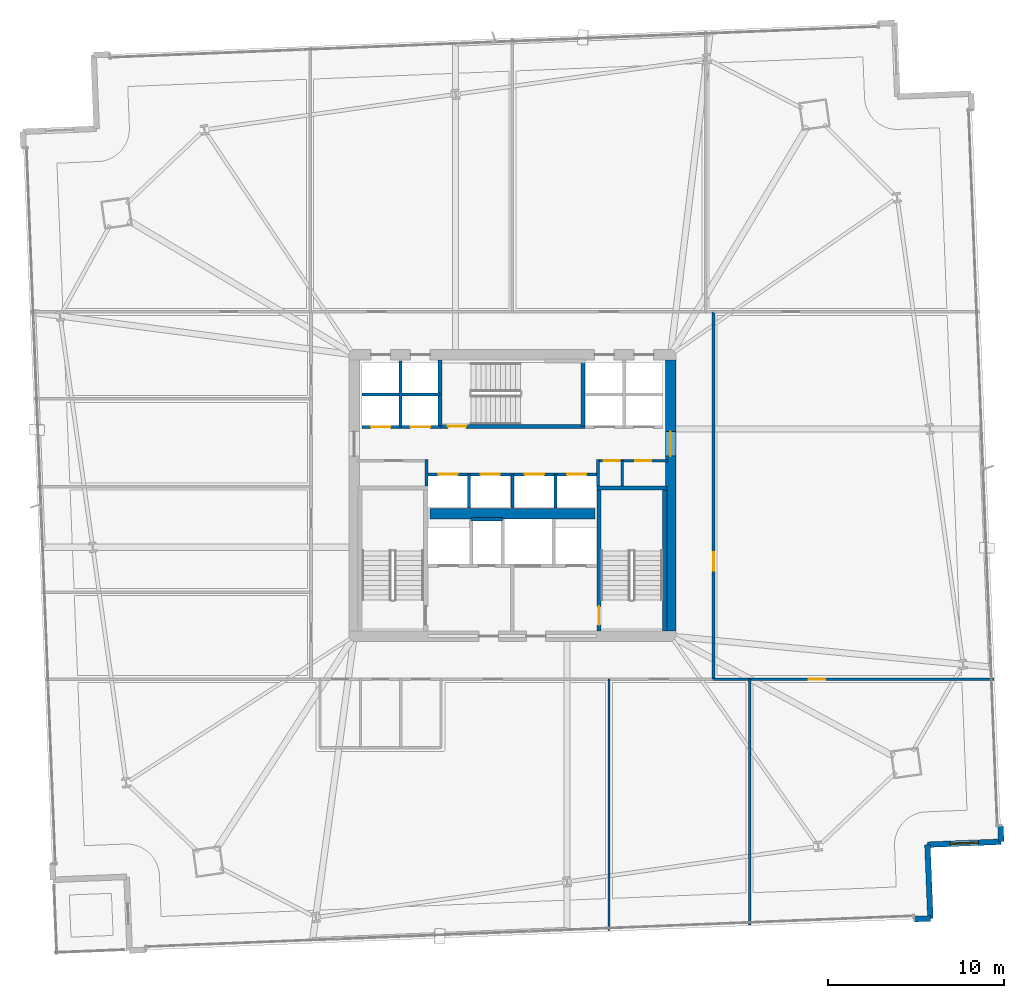
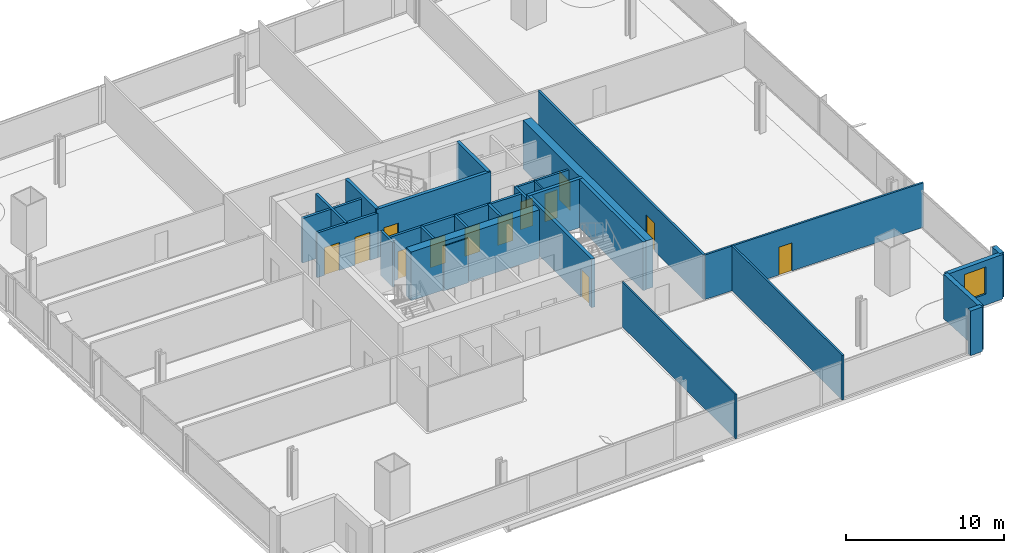
# One storey, part 26 of 32: 28 walls, 13 doors, 1 window, 14 openings.
"""IFC4 building model written with IfcOpenShell, lengths in metres."""

from ifc_helpers import new_model, si_unit, direction, frame, frame_2d, origin, place, context, subcontext, project, spatial, rectangle, extrude, material, layer, layer_set, type_object, element, fill, save


model = new_model("IFC4")

# Units and contexts
model_context = context("Model", 3, precision=1e-05, world=origin(), true_north=direction((0.0, 1.0)))
body_context = subcontext(model_context, "Body", "Model", "MODEL_VIEW")
ifc_project = project(units=[si_unit("LENGTHUNIT", "METRE"), si_unit("AREAUNIT", "SQUARE_METRE"), si_unit("VOLUMEUNIT", "CUBIC_METRE"), si_unit("PLANEANGLEUNIT", "RADIAN"), si_unit("MASSUNIT", "GRAM", prefix="KILO")], contexts=[model_context])

# Site, building, storey
site_placement = place(None, origin())
site = spatial("IfcSite", under=ifc_project, at=site_placement, CompositionType="ELEMENT")
building_placement = place(site_placement, origin())
building = spatial("IfcBuilding", under=site, at=building_placement, Name="Haldenkirk Collegiate Tower", CompositionType="ELEMENT")
storey_placement = place(building_placement, frame((0.0, 0.0, 36.449951171875)))
storey = spatial("IfcBuildingStorey", under=building, at=storey_placement, Name="L07", CompositionType="ELEMENT", Elevation=36.449951171875)

# Wall, opening, door
ifc_material_1 = material(Name="Concrete f'c 70 MPa", Category="concrete")
ifc_layer_1 = layer(ifc_material_1, 0.60009765625)
ifc_layer_set_1 = layer_set([ifc_layer_1], Name="Concrete f'c 70 MPa")
wall_type_1 = type_object("IfcWallType", Name="WL-CORE-600", PredefinedType="SHEAR", material=ifc_layer_set_1)
wall_1_placement = place(storey_placement, frame((45.0, 18.300048828125, 0.0), z_axis=(0.0, 0.0, 1.0), x_axis=(0.0, 1.0, 0.0)))
wall_1 = element("IfcWall", 1, at=wall_1_placement, inside=storey, type_object=wall_type_1, Name="L07 central core shear wall E", PredefinedType="SHEAR", context=body_context, shape_type="SweptSolid", body=[
    extrude(rectangle(XDim=15.39990234375, YDim=0.60009765625, at=frame_2d((7.699951171875, 0.0))), origin(), (0.0, 0.0, 1.0), 3.75),
])
opening_1_placement = place(wall_1_placement, frame((9.93994140625, 0.0, 0.0)))
opening_1 = element("IfcOpeningElement", 2, at=opening_1_placement, cuts=wall_1, Name="Opening D-03", PredefinedType="OPENING", context=body_context, shape_type="SweptSolid", body=[
    extrude(rectangle(XDim=1.39990234375, YDim=2.199951171875, at=frame_2d((0.699951171875, 1.10009765625))), frame((0.0, 0.31005859375, 0.0), z_axis=(0.0, -1.0, 0.0), x_axis=(1.0, 0.0, 0.0)), (0.0, 0.0, 1.0), 0.6201171875),
])
ifc_material_2 = material(Name="Galvanized fire-rated hollow steel door", Category="steel")
ifc_layer_2 = layer(ifc_material_2, 0.06005859375)
ifc_layer_set_2 = layer_set([ifc_layer_2], Name="Galvanized fire-rated hollow steel door")
door_type_1 = type_object("IfcDoorType", Name="DR-LOBBY-FD90-1400", OperationType="NOTDEFINED", PredefinedType="DOOR", material=ifc_layer_set_2)
door_1_placement = place(opening_1_placement, origin())
door_1 = element("IfcDoor", 3, at=door_1_placement, inside=storey, type_object=door_type_1, Name="L07 east lift lobby portal", OperationType="DOUBLE_DOOR_SINGLE_SWING", OverallHeight=2.199951171875, OverallWidth=1.39990234375, PredefinedType="DOOR", context=body_context, shape_type="SweptSolid", body=[
    extrude(rectangle(XDim=1.39990234375, YDim=2.199951171875, at=frame_2d((0.699951171875, 1.10009765625))), frame((0.0, 0.02490234375, 0.0), z_axis=(0.0, -1.0, 0.0), x_axis=(1.0, 0.0, 0.0)), (0.0, 0.0, 1.0), 0.050048828125),
])
fill(opening_1, door_1)

# Walls
wall_2_placement = place(storey_placement, frame((31.31005859375, 24.949951171875, 0.0), z_axis=(0.0, 0.0, 1.0), x_axis=(1.0, 0.0, 0.0)))
element("IfcWall", 4, at=wall_2_placement, inside=storey, type_object=wall_type_1, Name="L07 central core spine shear wall", PredefinedType="SHEAR", context=body_context, shape_type="SweptSolid", body=[
    extrude(rectangle(XDim=9.3798828125, YDim=0.60009765625, at=frame_2d((4.68994140625, 0.0))), origin(), (0.0, 0.0, 1.0), 3.75),
])
ifc_material_3 = material(Name="Precast concrete f'c 40 MPa", Category="concrete")
ifc_layer_3 = layer(ifc_material_3, 0.320068359375)
ifc_layer_set_3 = layer_set([ifc_layer_3], Name="Precast concrete f'c 40 MPa")
wall_type_2 = type_object("IfcWallType", Name="WL-EXT-TWR-320", PredefinedType="STANDARD", material=ifc_layer_set_3)
wall_3_placement = place(storey_placement, frame((59.784912109375, 1.93505859375, 0.0), z_axis=(0.0, 0.0, 1.0), x_axis=(-0.999194011416, -0.04014134465, 0.0)))
element("IfcWall", 5, at=wall_3_placement, inside=storey, type_object=wall_type_2, Name="L07 precast corner pier SL", PredefinedType="STANDARD", context=body_context, shape_type="SweptSolid", body=[
    extrude(rectangle(XDim=0.900146484375, YDim=0.320068359375, at=frame_2d((0.4501953125, 0.0))), origin(), (0.0, 0.0, 1.0), 3.43994140625),
])
wall_4_placement = place(storey_placement, frame((59.616455078125, 6.1318359375, 0.0), z_axis=(0.0, 0.0, 1.0), x_axis=(0.040107318829, -0.99919537778, 0.0)))
element("IfcWall", 6, at=wall_4_placement, inside=storey, type_object=wall_type_2, Name="L07 bronze precast notch wall 02", PredefinedType="STANDARD", context=body_context, shape_type="SweptSolid", body=[
    extrude(rectangle(XDim=4.2001953125, YDim=0.320068359375, at=frame_2d((2.10009765625, 0.0))), origin(), (0.0, 0.0, 1.0), 3.43994140625),
])

# Wall, opening, window
wall_5_placement = place(storey_placement, frame((63.81298828125, 6.30029296875, 0.0), z_axis=(0.0, 0.0, 1.0), x_axis=(-0.999195284269, -0.040109648388, 0.0)))
wall_5 = element("IfcWall", 7, at=wall_5_placement, inside=storey, type_object=wall_type_2, Name="L07 bronze precast notch wall 03", PredefinedType="STANDARD", context=body_context, shape_type="SweptSolid", body=[
    extrude(rectangle(XDim=4.199951171875, YDim=0.320068359375, at=frame_2d((2.10009765625, 0.0))), origin(), (0.0, 0.0, 1.0), 3.43994140625),
])
opening_2_placement = place(wall_5_placement, frame((1.300048828125, 0.0, 0.85009765625)))
opening_2 = element("IfcOpeningElement", 8, at=opening_2_placement, cuts=wall_5, Name="Opening W-03", PredefinedType="OPENING", context=body_context, shape_type="SweptSolid", body=[
    extrude(rectangle(XDim=1.60009765625, YDim=2.10009765625, at=frame_2d((0.800048828125, 1.050048828125))), frame((0.0, 0.169921875, 0.0), z_axis=(0.0, -1.0, 0.0), x_axis=(1.0, 0.0, 0.0)), (0.0, 0.0, 1.0), 0.340087890625),
])
ifc_material_4 = material(Name="Low-E argon triple insulating glass", Category="glass")
ifc_layer_4 = layer(ifc_material_4, 0.090087890625)
ifc_layer_set_4 = layer_set([ifc_layer_4], Name="Low-E argon triple insulating glass")
window_type = type_object("IfcWindowType", Name="WN-Z1-1600X2100", PartitioningType="SINGLE_PANEL", PredefinedType="WINDOW", material=ifc_layer_set_4)
window_placement = place(opening_2_placement, origin())
window = element("IfcWindow", 9, at=window_placement, inside=storey, type_object=window_type, Name="L07 precast-frame academic window 2", OverallHeight=2.10009765625, OverallWidth=1.60009765625, PartitioningType="SINGLE_PANEL", PredefinedType="WINDOW", context=body_context, shape_type="SweptSolid", body=[
    extrude(rectangle(XDim=1.60009765625, YDim=2.10009765625, at=frame_2d((0.800048828125, 1.050048828125))), frame((0.0, 0.030029296875, 0.0), z_axis=(0.0, -1.0, 0.0), x_axis=(1.0, 0.0, 0.0)), (0.0, 0.0, 1.0), 0.06005859375),
])
fill(opening_2, window)

# Walls
wall_6_placement = place(storey_placement, frame((63.77685546875, 7.19970703125, 0.0), z_axis=(0.0, 0.0, 1.0), x_axis=(0.04014134465, -0.999194011416, 0.0)))
element("IfcWall", 10, at=wall_6_placement, inside=storey, type_object=wall_type_2, Name="L07 precast corner pier ER", PredefinedType="STANDARD", context=body_context, shape_type="SweptSolid", body=[
    extrude(rectangle(XDim=0.900146484375, YDim=0.320068359375, at=frame_2d((0.4501953125, 0.0))), origin(), (0.0, 0.0, 1.0), 3.43994140625),
])
ifc_material_5 = material(Name="Acoustic fire-rated gypsum partition", Category="concrete")
ifc_layer_5 = layer(ifc_material_5, 0.159912109375)
ifc_layer_set_5 = layer_set([ifc_layer_5], Name="Acoustic fire-rated gypsum partition")
wall_type_3 = type_object("IfcWallType", Name="WL-INT-CORR-160", PredefinedType="PARTITIONING", material=ifc_layer_set_5)
wall_7_placement = place(storey_placement, frame((31.1201171875, 26.5400390625, 0.0), z_axis=(0.0, 0.0, 1.0), x_axis=(0.0, 1.0, 0.0)))
element("IfcWall", 11, at=wall_7_placement, inside=storey, type_object=wall_type_3, Name="L07 interior partition IW-L07-VCSW-E", PredefinedType="PARTITIONING", context=body_context, shape_type="SweptSolid", body=[
    extrude(rectangle(XDim=1.510009765625, YDim=0.159912109375, at=frame_2d((0.7548828125, 0.0))), origin(), (0.0, 0.0, 1.0), 3.43994140625),
])

# Wall, openings, doors
wall_8_placement = place(storey_placement, frame((40.800048828125, 27.97998046875, 0.0), z_axis=(0.0, 0.0, 1.0), x_axis=(1.0, 0.0, 0.0)))
wall_8 = element("IfcWall", 12, at=wall_8_placement, inside=storey, type_object=wall_type_3, Name="L07 interior partition IW-L07-VCSE-N", PredefinedType="PARTITIONING", context=body_context, shape_type="SweptSolid", body=[
    extrude(rectangle(XDim=4.050048828125, YDim=0.159912109375, at=frame_2d((2.02490234375, 0.0))), origin(), (0.0, 0.0, 1.0), 3.43994140625),
])
opening_3_placement = place(wall_8_placement, frame((0.407470703125, 0.0, 0.0)))
opening_3 = element("IfcOpeningElement", 13, at=opening_3_placement, cuts=wall_8, Name="Opening D-11", PredefinedType="OPENING", context=body_context, shape_type="SweptSolid", body=[
    extrude(rectangle(XDim=0.89990234375, YDim=2.14990234375, at=frame_2d((0.449951171875, 1.074951171875))), frame((0.0, 0.08984375, 0.0), z_axis=(0.0, -1.0, 0.0), x_axis=(1.0, 0.0, 0.0)), (0.0, 0.0, 1.0), 0.179931640625),
])
opening_4_placement = place(wall_8_placement, frame((2.199951171875, 0.0, 0.0)))
opening_4 = element("IfcOpeningElement", 14, at=opening_4_placement, cuts=wall_8, Name="Opening D-11", PredefinedType="OPENING", context=body_context, shape_type="SweptSolid", body=[
    extrude(rectangle(XDim=0.89990234375, YDim=2.14990234375, at=frame_2d((0.449951171875, 1.074951171875))), frame((0.0, 0.08984375, 0.0), z_axis=(0.0, -1.0, 0.0), x_axis=(1.0, 0.0, 0.0)), (0.0, 0.0, 1.0), 0.179931640625),
])
ifc_material_6 = material(Name="Solid-core architectural oak fire door", Category="wood")
ifc_layer_6 = layer(ifc_material_6, 0.06005859375)
ifc_layer_set_6 = layer_set([ifc_layer_6], Name="Solid-core architectural oak fire door")
door_type_2 = type_object("IfcDoorType", Name="DR-INT-FD60-900", OperationType="NOTDEFINED", PredefinedType="DOOR", material=ifc_layer_set_6)
door_2_placement = place(opening_3_placement, origin())
door_2 = element("IfcDoor", 15, at=door_2_placement, inside=storey, type_object=door_type_2, Name="L07 core copy room door", OperationType="SINGLE_SWING_RIGHT", OverallHeight=2.14990234375, OverallWidth=0.89990234375, PredefinedType="DOOR", context=body_context, shape_type="SweptSolid", body=[
    extrude(rectangle(XDim=0.89990234375, YDim=2.14990234375, at=frame_2d((0.449951171875, 1.074951171875))), frame((0.0, 0.02490234375, 0.0), z_axis=(0.0, -1.0, 0.0), x_axis=(1.0, 0.0, 0.0)), (0.0, 0.0, 1.0), 0.050048828125),
])
fill(opening_3, door_2)
door_3_placement = place(opening_4_placement, origin())
door_3 = element("IfcDoor", 16, at=door_3_placement, inside=storey, type_object=door_type_2, Name="L07 core records store door", OperationType="SINGLE_SWING_LEFT", OverallHeight=2.14990234375, OverallWidth=0.89990234375, PredefinedType="DOOR", context=body_context, shape_type="SweptSolid", body=[
    extrude(rectangle(XDim=0.89990234375, YDim=2.14990234375, at=frame_2d((0.449951171875, 1.074951171875))), frame((0.0, 0.02490234375, 0.0), z_axis=(0.0, -1.0, 0.0), x_axis=(1.0, 0.0, 0.0)), (0.0, 0.0, 1.0), 0.050048828125),
])
fill(opening_4, door_3)

# Wall
wall_9_placement = place(storey_placement, frame((40.8798828125, 26.5400390625, 0.0), z_axis=(0.0, 0.0, 1.0), x_axis=(0.0, 1.0, 0.0)))
element("IfcWall", 17, at=wall_9_placement, inside=storey, type_object=wall_type_3, Name="L07 interior partition IW-L07-VCSE-W", PredefinedType="PARTITIONING", context=body_context, shape_type="SweptSolid", body=[
    extrude(rectangle(XDim=1.510009765625, YDim=0.159912109375, at=frame_2d((0.7548828125, 0.0))), origin(), (0.0, 0.0, 1.0), 3.43994140625),
])

# Wall, opening, door
wall_10_placement = place(storey_placement, frame((47.449951171875, 15.550048828125, 0.0), z_axis=(0.0, 0.0, 1.0), x_axis=(0.0, 1.0, 0.0)))
wall_10 = element("IfcWall", 18, at=wall_10_placement, inside=storey, type_object=wall_type_3, Name="L07 interior partition IW-L07-CE", PredefinedType="PARTITIONING", context=body_context, shape_type="SweptSolid", body=[
    extrude(rectangle(XDim=20.89990234375, YDim=0.159912109375, at=frame_2d((10.449951171875, 0.0))), origin(), (0.0, 0.0, 1.0), 3.43994140625),
])
opening_5_placement = place(wall_10_placement, frame((6.1630859375, 0.0, 0.0)))
opening_5 = element("IfcOpeningElement", 19, at=opening_5_placement, cuts=wall_10, Name="Opening D-09", PredefinedType="OPENING", context=body_context, shape_type="SweptSolid", body=[
    extrude(rectangle(XDim=1.050048828125, YDim=2.14990234375, at=frame_2d((0.52490234375, 1.074951171875))), frame((0.0, 0.08984375, 0.0), z_axis=(0.0, -1.0, 0.0), x_axis=(1.0, 0.0, 0.0)), (0.0, 0.0, 1.0), 0.179931640625),
])
ifc_layer_7 = layer(ifc_material_6, 0.06005859375)
ifc_layer_set_7 = layer_set([ifc_layer_7], Name="Solid-core architectural oak fire door")
door_type_3 = type_object("IfcDoorType", Name="DR-INT-FD60-1050", OperationType="NOTDEFINED", PredefinedType="DOOR", material=ifc_layer_set_7)
door_4_placement = place(opening_5_placement, origin())
door_4 = element("IfcDoor", 20, at=door_4_placement, inside=storey, type_object=door_type_3, Name="L07 Critique Seminar Room 12 door", OperationType="SINGLE_SWING_RIGHT", OverallHeight=2.14990234375, OverallWidth=1.050048828125, PredefinedType="DOOR", context=body_context, shape_type="SweptSolid", body=[
    extrude(rectangle(XDim=1.050048828125, YDim=2.14990234375, at=frame_2d((0.52490234375, 1.074951171875))), frame((0.0, 0.02490234375, 0.0), z_axis=(0.0, -1.0, 0.0), x_axis=(1.0, 0.0, 0.0)), (0.0, 0.0, 1.0), 0.050048828125),
])
fill(opening_5, door_4)

ifc_layer_8 = layer(ifc_material_5, 0.139892578125)
ifc_layer_set_8 = layer_set([ifc_layer_8], Name="Acoustic fire-rated gypsum partition")
wall_type_4 = type_object("IfcWallType", Name="WL-INT-DIV-140", PredefinedType="PARTITIONING", material=ifc_layer_set_8)
wall_11_placement = place(storey_placement, frame((47.449951171875, 15.550048828125, 0.0), z_axis=(0.0, 0.0, 1.0), x_axis=(1.0, 0.0, 0.0)))
wall_11 = element("IfcWall", 21, at=wall_11_placement, inside=storey, type_object=wall_type_4, Name="L07 interior partition IW-L07-BES", PredefinedType="PARTITIONING", context=body_context, shape_type="SweptSolid", body=[
    extrude(rectangle(XDim=15.95166015625, YDim=0.139892578125, at=frame_2d((7.975830078125, 0.0))), origin(), (0.0, 0.0, 1.0), 3.43994140625),
])
opening_6_placement = place(wall_11_placement, frame((5.408935546875, 0.0, 0.0)))
opening_6 = element("IfcOpeningElement", 22, at=opening_6_placement, cuts=wall_11, Name="Opening D-12", PredefinedType="OPENING", context=body_context, shape_type="SweptSolid", body=[
    extrude(rectangle(XDim=0.949951171875, YDim=2.14990234375, at=frame_2d((0.47509765625, 1.074951171875))), frame((0.0, 0.079833984375, 0.0), z_axis=(0.0, -1.0, 0.0), x_axis=(1.0, 0.0, 0.0)), (0.0, 0.0, 1.0), 0.159912109375),
])
ifc_layer_9 = layer(ifc_material_6, 0.06005859375)
ifc_layer_set_9 = layer_set([ifc_layer_9], Name="Solid-core architectural oak fire door")
door_type_4 = type_object("IfcDoorType", Name="DR-INT-STD-950", OperationType="NOTDEFINED", PredefinedType="DOOR", material=ifc_layer_set_9)
door_5_placement = place(opening_6_placement, origin())
door_5 = element("IfcDoor", 23, at=door_5_placement, inside=storey, type_object=door_type_4, Name="L07 Tutorial Seminar Room 3 door", OperationType="SINGLE_SWING_LEFT", OverallHeight=2.14990234375, OverallWidth=0.949951171875, PredefinedType="DOOR", context=body_context, shape_type="SweptSolid", body=[
    extrude(rectangle(XDim=0.949951171875, YDim=2.14990234375, at=frame_2d((0.47509765625, 1.074951171875))), frame((0.0, 0.02490234375, 0.0), z_axis=(0.0, -1.0, 0.0), x_axis=(1.0, 0.0, 0.0)), (0.0, 0.0, 1.0), 0.050048828125),
])
fill(opening_6, door_5)

# Walls
wall_12_placement = place(storey_placement, frame((49.5, 1.56201171875, 0.0), z_axis=(0.0, 0.0, 1.0), x_axis=(0.0, 1.0, 0.0)))
element("IfcWall", 24, at=wall_12_placement, inside=storey, type_object=wall_type_4, Name="L07 interior partition IW-L07-RS2", PredefinedType="PARTITIONING", context=body_context, shape_type="SweptSolid", body=[
    extrude(rectangle(XDim=13.988037109375, YDim=0.139892578125, at=frame_2d((6.994140625, 0.0))), origin(), (0.0, 0.0, 1.0), 3.43994140625),
])
ifc_material_7 = material(Name="Fire-rated gypsum shaftboard assembly", Category="concrete")
ifc_layer_10 = layer(ifc_material_7, 0.179931640625)
ifc_layer_set_10 = layer_set([ifc_layer_10], Name="Fire-rated gypsum shaftboard assembly")
wall_type_5 = type_object("IfcWallType", Name="WL-INT-SHAFT-180", PredefinedType="PARTITIONING", material=ifc_layer_set_10)
wall_13_placement = place(storey_placement, frame((33.64990234375, 24.64990234375, 0.0), z_axis=(0.0, 0.0, 1.0), x_axis=(1.0, 0.0, 0.0)))
element("IfcWall", 25, at=wall_13_placement, inside=storey, type_object=wall_type_5, Name="L07 interior partition IW-L07-RSRN", PredefinedType="PARTITIONING", context=body_context, shape_type="SweptSolid", body=[
    extrude(rectangle(XDim=1.800048828125, YDim=0.179931640625, at=frame_2d((0.89990234375, 0.0))), origin(), (0.0, 0.0, 1.0), 3.43994140625),
])

# Wall, openings, doors
wall_14_placement = place(storey_placement, frame((27.449951171875, 29.89990234375, 0.0), z_axis=(0.0, 0.0, 1.0), x_axis=(1.0, 0.0, 0.0)))
wall_14 = element("IfcWall", 26, at=wall_14_placement, inside=storey, type_object=wall_type_5, Name="L07 interior partition IW-L07-PLS", PredefinedType="PARTITIONING", context=body_context, shape_type="SweptSolid", body=[
    extrude(rectangle(XDim=4.429931640625, YDim=0.179931640625, at=frame_2d((2.21484375, 0.0))), origin(), (0.0, 0.0, 1.0), 3.43994140625),
])
opening_7_placement = place(wall_14_placement, frame((0.514892578125, 0.0, 0.0)))
opening_7 = element("IfcOpeningElement", 27, at=opening_7_placement, cuts=wall_14, Name="Opening LD-11", PredefinedType="OPENING", context=body_context, shape_type="SweptSolid", body=[
    extrude(rectangle(XDim=1.10009765625, YDim=2.14990234375, at=frame_2d((0.550048828125, 1.074951171875))), frame((0.0, 0.099853515625, 0.0), z_axis=(0.0, -1.0, 0.0), x_axis=(1.0, 0.0, 0.0)), (0.0, 0.0, 1.0), 0.199951171875),
])
opening_8_placement = place(wall_14_placement, frame((2.764892578125, 0.0, 0.0)))
opening_8 = element("IfcOpeningElement", 28, at=opening_8_placement, cuts=wall_14, Name="Opening LD-11", PredefinedType="OPENING", context=body_context, shape_type="SweptSolid", body=[
    extrude(rectangle(XDim=1.10009765625, YDim=2.14990234375, at=frame_2d((0.550048828125, 1.074951171875))), frame((0.0, 0.099853515625, 0.0), z_axis=(0.0, -1.0, 0.0), x_axis=(1.0, 0.0, 0.0)), (0.0, 0.0, 1.0), 0.199951171875),
])
ifc_material_8 = material(Name="Brushed architectural stainless steel", Category="steel")
ifc_layer_11 = layer(ifc_material_8, 0.06005859375)
ifc_layer_set_11 = layer_set([ifc_layer_11], Name="Brushed architectural stainless steel")
door_type_5 = type_object("IfcDoorType", Name="LD-PASS-1100", OperationType="NOTDEFINED", PredefinedType="DOOR", material=ifc_layer_set_11)
door_6_placement = place(opening_7_placement, origin())
door_6 = element("IfcDoor", 29, at=door_6_placement, inside=storey, type_object=door_type_5, Name="L07 Elevator PL1 sliding landing door", OperationType="SLIDING_TO_LEFT", OverallHeight=2.14990234375, OverallWidth=1.10009765625, PredefinedType="DOOR", context=body_context, shape_type="SweptSolid", body=[
    extrude(rectangle(XDim=1.10009765625, YDim=2.14990234375, at=frame_2d((0.550048828125, 1.074951171875))), frame((0.0, 0.02490234375, 0.0), z_axis=(0.0, -1.0, 0.0), x_axis=(1.0, 0.0, 0.0)), (0.0, 0.0, 1.0), 0.050048828125),
])
fill(opening_7, door_6)
door_7_placement = place(opening_8_placement, origin())
door_7 = element("IfcDoor", 30, at=door_7_placement, inside=storey, type_object=door_type_5, Name="L07 Elevator PL2 sliding landing door", OperationType="SLIDING_TO_LEFT", OverallHeight=2.14990234375, OverallWidth=1.10009765625, PredefinedType="DOOR", context=body_context, shape_type="SweptSolid", body=[
    extrude(rectangle(XDim=1.10009765625, YDim=2.14990234375, at=frame_2d((0.550048828125, 1.074951171875))), frame((0.0, 0.02490234375, 0.0), z_axis=(0.0, -1.0, 0.0), x_axis=(1.0, 0.0, 0.0)), (0.0, 0.0, 1.0), 0.050048828125),
])
fill(opening_8, door_7)

# Walls
wall_15_placement = place(storey_placement, frame((27.449951171875, 31.75, 0.0), z_axis=(0.0, 0.0, 1.0), x_axis=(1.0, 0.0, 0.0)))
element("IfcWall", 31, at=wall_15_placement, inside=storey, type_object=wall_type_5, Name="L07 interior partition IW-L07-PLM", PredefinedType="PARTITIONING", context=body_context, shape_type="SweptSolid", body=[
    extrude(rectangle(XDim=4.429931640625, YDim=0.179931640625, at=frame_2d((2.21484375, 0.0))), origin(), (0.0, 0.0, 1.0), 3.43994140625),
])
wall_16_placement = place(storey_placement, frame((29.6298828125, 29.89990234375, 0.0), z_axis=(0.0, 0.0, 1.0), x_axis=(0.0, 1.0, 0.0)))
element("IfcWall", 32, at=wall_16_placement, inside=storey, type_object=wall_type_5, Name="L07 interior partition IW-L07-PLV", PredefinedType="PARTITIONING", context=body_context, shape_type="SweptSolid", body=[
    extrude(rectangle(XDim=3.75, YDim=0.179931640625, at=frame_2d((1.875, 0.0))), origin(), (0.0, 0.0, 1.0), 3.43994140625),
])

# Wall, openings, doors
wall_17_placement = place(storey_placement, frame((31.199951171875, 27.199951171875, 0.0), z_axis=(0.0, 0.0, 1.0), x_axis=(1.0, 0.0, 0.0)))
wall_17 = element("IfcWall", 33, at=wall_17_placement, inside=storey, type_object=wall_type_5, Name="L07 interior partition IW-L07-PHN", PredefinedType="PARTITIONING", context=body_context, shape_type="SweptSolid", body=[
    extrude(rectangle(XDim=9.60009765625, YDim=0.179931640625, at=frame_2d((4.800048828125, 0.0))), origin(), (0.0, 0.0, 1.0), 3.43994140625),
])
opening_9_placement = place(wall_17_placement, frame((0.590087890625, 0.0, 0.0)))
opening_9 = element("IfcOpeningElement", 34, at=opening_9_placement, cuts=wall_17, Name="Opening LD-11", PredefinedType="OPENING", context=body_context, shape_type="SweptSolid", body=[
    extrude(rectangle(XDim=1.10009765625, YDim=2.14990234375, at=frame_2d((0.550048828125, 1.074951171875))), frame((0.0, 0.099853515625, 0.0), z_axis=(0.0, -1.0, 0.0), x_axis=(1.0, 0.0, 0.0)), (0.0, 0.0, 1.0), 0.199951171875),
])
opening_10_placement = place(wall_17_placement, frame((2.989990234375, 0.0, 0.0)))
opening_10 = element("IfcOpeningElement", 35, at=opening_10_placement, cuts=wall_17, Name="Opening LD-11", PredefinedType="OPENING", context=body_context, shape_type="SweptSolid", body=[
    extrude(rectangle(XDim=1.10009765625, YDim=2.14990234375, at=frame_2d((0.550048828125, 1.074951171875))), frame((0.0, 0.099853515625, 0.0), z_axis=(0.0, -1.0, 0.0), x_axis=(1.0, 0.0, 0.0)), (0.0, 0.0, 1.0), 0.199951171875),
])
opening_11_placement = place(wall_17_placement, frame((5.510009765625, 0.0, 0.0)))
opening_11 = element("IfcOpeningElement", 36, at=opening_11_placement, cuts=wall_17, Name="Opening LD-11", PredefinedType="OPENING", context=body_context, shape_type="SweptSolid", body=[
    extrude(rectangle(XDim=1.10009765625, YDim=2.14990234375, at=frame_2d((0.550048828125, 1.074951171875))), frame((0.0, 0.099853515625, 0.0), z_axis=(0.0, -1.0, 0.0), x_axis=(1.0, 0.0, 0.0)), (0.0, 0.0, 1.0), 0.199951171875),
])
opening_12_placement = place(wall_17_placement, frame((7.909912109375, 0.0, 0.0)))
opening_12 = element("IfcOpeningElement", 37, at=opening_12_placement, cuts=wall_17, Name="Opening LD-11", PredefinedType="OPENING", context=body_context, shape_type="SweptSolid", body=[
    extrude(rectangle(XDim=1.10009765625, YDim=2.14990234375, at=frame_2d((0.550048828125, 1.074951171875))), frame((0.0, 0.099853515625, 0.0), z_axis=(0.0, -1.0, 0.0), x_axis=(1.0, 0.0, 0.0)), (0.0, 0.0, 1.0), 0.199951171875),
])
door_8_placement = place(opening_9_placement, origin())
door_8 = element("IfcDoor", 38, at=door_8_placement, inside=storey, type_object=door_type_5, Name="L07 Elevator PH1 sliding landing door", OperationType="SLIDING_TO_LEFT", OverallHeight=2.14990234375, OverallWidth=1.10009765625, PredefinedType="DOOR", context=body_context, shape_type="SweptSolid", body=[
    extrude(rectangle(XDim=1.10009765625, YDim=2.14990234375, at=frame_2d((0.550048828125, 1.074951171875))), frame((0.0, 0.02490234375, 0.0), z_axis=(0.0, -1.0, 0.0), x_axis=(1.0, 0.0, 0.0)), (0.0, 0.0, 1.0), 0.050048828125),
])
fill(opening_9, door_8)
door_9_placement = place(opening_10_placement, origin())
door_9 = element("IfcDoor", 39, at=door_9_placement, inside=storey, type_object=door_type_5, Name="L07 Elevator PH2 sliding landing door", OperationType="SLIDING_TO_LEFT", OverallHeight=2.14990234375, OverallWidth=1.10009765625, PredefinedType="DOOR", context=body_context, shape_type="SweptSolid", body=[
    extrude(rectangle(XDim=1.10009765625, YDim=2.14990234375, at=frame_2d((0.550048828125, 1.074951171875))), frame((0.0, 0.02490234375, 0.0), z_axis=(0.0, -1.0, 0.0), x_axis=(1.0, 0.0, 0.0)), (0.0, 0.0, 1.0), 0.050048828125),
])
fill(opening_10, door_9)
door_10_placement = place(opening_11_placement, origin())
door_10 = element("IfcDoor", 40, at=door_10_placement, inside=storey, type_object=door_type_5, Name="L07 Elevator PH3 sliding landing door", OperationType="SLIDING_TO_LEFT", OverallHeight=2.14990234375, OverallWidth=1.10009765625, PredefinedType="DOOR", context=body_context, shape_type="SweptSolid", body=[
    extrude(rectangle(XDim=1.10009765625, YDim=2.14990234375, at=frame_2d((0.550048828125, 1.074951171875))), frame((0.0, 0.02490234375, 0.0), z_axis=(0.0, -1.0, 0.0), x_axis=(1.0, 0.0, 0.0)), (0.0, 0.0, 1.0), 0.050048828125),
])
fill(opening_11, door_10)
door_11_placement = place(opening_12_placement, origin())
door_11 = element("IfcDoor", 41, at=door_11_placement, inside=storey, type_object=door_type_5, Name="L07 Elevator PH4 sliding landing door", OperationType="SLIDING_TO_LEFT", OverallHeight=2.14990234375, OverallWidth=1.10009765625, PredefinedType="DOOR", context=body_context, shape_type="SweptSolid", body=[
    extrude(rectangle(XDim=1.10009765625, YDim=2.14990234375, at=frame_2d((0.550048828125, 1.074951171875))), frame((0.0, 0.02490234375, 0.0), z_axis=(0.0, -1.0, 0.0), x_axis=(1.0, 0.0, 0.0)), (0.0, 0.0, 1.0), 0.050048828125),
])
fill(opening_12, door_11)

# Walls
for number, where, z_axis, x_axis, name in (
    (42, (33.5400390625, 25.300048828125, 0.0), (0.0, 0.0, 1.0), (0.0, 1.0, 0.0), "L07 interior partition IW-L07-PHV1"),
    (43, (36.0, 25.300048828125, 0.0), (0.0, 0.0, 1.0), (0.0, 1.0, 0.0), "L07 interior partition IW-L07-PHV2"),
    (44, (38.4599609375, 25.300048828125, 0.0), (0.0, 0.0, 1.0), (0.0, 1.0, 0.0), "L07 interior partition IW-L07-PHV3"),
):
    element("IfcWall", number, at=place(storey_placement, frame(where, z_axis=z_axis, x_axis=x_axis)), inside=storey, type_object=wall_type_5, Name=name, PredefinedType="PARTITIONING", context=body_context, shape_type="SweptSolid", body=[
        extrude(rectangle(XDim=1.89990234375, YDim=0.179931640625, at=frame_2d((0.949951171875, 0.0))), origin(), (0.0, 0.0, 1.0), 3.43994140625),
    ])
ifc_layer_12 = layer(ifc_material_5, 0.1201171875)
ifc_layer_set_12 = layer_set([ifc_layer_12], Name="Acoustic fire-rated gypsum partition")
wall_type_6 = type_object("IfcWallType", Name="WL-INT-WET-120", PredefinedType="PARTITIONING", material=ifc_layer_set_12)
wall_18_placement = place(storey_placement, frame((42.25, 26.5400390625, 0.0), z_axis=(0.0, 0.0, 1.0), x_axis=(0.0, 1.0, 0.0)))
element("IfcWall", 45, at=wall_18_placement, inside=storey, type_object=wall_type_6, Name="L07 interior partition IW-L07-VCSE-M", PredefinedType="PARTITIONING", context=body_context, shape_type="SweptSolid", body=[
    extrude(rectangle(XDim=1.43994140625, YDim=0.1201171875, at=frame_2d((0.719970703125, 0.0))), origin(), (0.0, 0.0, 1.0), 3.43994140625),
])
wall_19_placement = place(storey_placement, frame((41.5, 1.24072265625, 0.0), z_axis=(0.0, 0.0, 1.0), x_axis=(0.0, 1.0, 0.0)))
element("IfcWall", 46, at=wall_19_placement, inside=storey, type_object=wall_type_6, Name="L07 interior partition IW-L07-RS1", PredefinedType="PARTITIONING", context=body_context, shape_type="SweptSolid", body=[
    extrude(rectangle(XDim=14.309326171875, YDim=0.1201171875, at=frame_2d((7.15478515625, 0.0))), origin(), (0.0, 0.0, 1.0), 3.43994140625),
])

# Wall, opening, door
ifc_material_9 = material(Name="Concrete f'c 55 MPa", Category="concrete")
ifc_layer_13 = layer(ifc_material_9, 0.239990234375)
ifc_layer_set_13 = layer_set([ifc_layer_13], Name="Concrete f'c 55 MPa")
wall_type_7 = type_object("IfcWallType", Name="WL-SHAFT-240", PredefinedType="SHEAR", material=ifc_layer_set_13)
wall_20_placement = place(storey_placement, frame((40.929931640625, 18.280029296875, 0.0), z_axis=(0.0, 0.0, 1.0), x_axis=(0.0, 1.0, 0.0)))
wall_20 = element("IfcWall", 47, at=wall_20_placement, inside=storey, type_object=wall_type_7, Name="L07 stair shaft shear wall SW-L07-ST2W", PredefinedType="SHEAR", context=body_context, shape_type="SweptSolid", body=[
    extrude(rectangle(XDim=8.260009765625, YDim=0.239990234375, at=frame_2d((4.1298828125, 0.0))), origin(), (0.0, 0.0, 1.0), 3.75),
])
opening_13_placement = place(wall_20_placement, frame((0.364990234375, 0.0, 0.0)))
opening_13 = element("IfcOpeningElement", 48, at=opening_13_placement, cuts=wall_20, Name="Opening D-01", PredefinedType="OPENING", context=body_context, shape_type="SweptSolid", body=[
    extrude(rectangle(XDim=1.050048828125, YDim=2.14990234375, at=frame_2d((0.52490234375, 1.074951171875))), frame((0.0, 0.1298828125, 0.0), z_axis=(0.0, -1.0, 0.0), x_axis=(1.0, 0.0, 0.0)), (0.0, 0.0, 1.0), 0.260009765625),
])
ifc_layer_14 = layer(ifc_material_2, 0.06005859375)
ifc_layer_set_14 = layer_set([ifc_layer_14], Name="Galvanized fire-rated hollow steel door")
door_type_6 = type_object("IfcDoorType", Name="DR-STAIR-FD90-1050", OperationType="NOTDEFINED", PredefinedType="DOOR", material=ifc_layer_set_14)
door_12_placement = place(opening_13_placement, origin())
door_12 = element("IfcDoor", 49, at=door_12_placement, inside=storey, type_object=door_type_6, Name="L07 Stair 2 door", OperationType="SINGLE_SWING_RIGHT", OverallHeight=2.14990234375, OverallWidth=1.050048828125, PredefinedType="DOOR", context=body_context, shape_type="SweptSolid", body=[
    extrude(rectangle(XDim=1.050048828125, YDim=2.14990234375, at=frame_2d((0.52490234375, 1.074951171875))), frame((0.0, 0.02490234375, 0.0), z_axis=(0.0, -1.0, 0.0), x_axis=(1.0, 0.0, 0.0)), (0.0, 0.0, 1.0), 0.050048828125),
])
fill(opening_13, door_12)

# Walls
wall_21_placement = place(storey_placement, frame((40.81005859375, 26.419921875, 0.0), z_axis=(0.0, 0.0, 1.0), x_axis=(1.0, 0.0, 0.0)))
element("IfcWall", 50, at=wall_21_placement, inside=storey, type_object=wall_type_7, Name="L07 stair shaft shear wall SW-L07-ST2N", PredefinedType="SHEAR", context=body_context, shape_type="SweptSolid", body=[
    extrude(rectangle(XDim=3.97998046875, YDim=0.239990234375, at=frame_2d((1.989990234375, 0.0))), origin(), (0.0, 0.0, 1.0), 3.75),
])
wall_22_placement = place(storey_placement, frame((44.669921875, 18.280029296875, 0.0), z_axis=(0.0, 0.0, 1.0), x_axis=(0.0, 1.0, 0.0)))
element("IfcWall", 51, at=wall_22_placement, inside=storey, type_object=wall_type_7, Name="L07 stair shaft shear wall SW-L07-ST2E", PredefinedType="SHEAR", context=body_context, shape_type="SweptSolid", body=[
    extrude(rectangle(XDim=8.260009765625, YDim=0.239990234375, at=frame_2d((4.1298828125, 0.0))), origin(), (0.0, 0.0, 1.0), 3.75),
])

# Wall, opening, door
wall_23_placement = place(storey_placement, frame((31.760009765625, 29.929931640625, 0.0), z_axis=(0.0, 0.0, 1.0), x_axis=(1.0, 0.0, 0.0)))
wall_23 = element("IfcWall", 52, at=wall_23_placement, inside=storey, type_object=wall_type_7, Name="L07 stair shaft shear wall SW-L07-ST3S", PredefinedType="SHEAR", context=body_context, shape_type="SweptSolid", body=[
    extrude(rectangle(XDim=8.3798828125, YDim=0.239990234375, at=frame_2d((4.18994140625, 0.0))), origin(), (0.0, 0.0, 1.0), 3.75),
])
opening_14_placement = place(wall_23_placement, frame((0.56494140625, 0.0, 0.0)))
opening_14 = element("IfcOpeningElement", 53, at=opening_14_placement, cuts=wall_23, Name="Opening D-01", PredefinedType="OPENING", context=body_context, shape_type="SweptSolid", body=[
    extrude(rectangle(XDim=1.050048828125, YDim=2.14990234375, at=frame_2d((0.52490234375, 1.074951171875))), frame((0.0, 0.1298828125, 0.0), z_axis=(0.0, -1.0, 0.0), x_axis=(1.0, 0.0, 0.0)), (0.0, 0.0, 1.0), 0.260009765625),
])
door_13_placement = place(opening_14_placement, origin())
door_13 = element("IfcDoor", 54, at=door_13_placement, inside=storey, type_object=door_type_6, Name="L07 lift lobby Stair 3 door", OperationType="SINGLE_SWING_RIGHT", OverallHeight=2.14990234375, OverallWidth=1.050048828125, PredefinedType="DOOR", context=body_context, shape_type="SweptSolid", body=[
    extrude(rectangle(XDim=1.050048828125, YDim=2.14990234375, at=frame_2d((0.52490234375, 1.074951171875))), frame((0.0, 0.02490234375, 0.0), z_axis=(0.0, -1.0, 0.0), x_axis=(1.0, 0.0, 0.0)), (0.0, 0.0, 1.0), 0.050048828125),
])
fill(opening_14, door_13)

# Walls
wall_24_placement = place(storey_placement, frame((31.8798828125, 29.929931640625, 0.0), z_axis=(0.0, 0.0, 1.0), x_axis=(0.0, 1.0, 0.0)))
element("IfcWall", 55, at=wall_24_placement, inside=storey, type_object=wall_type_7, Name="L07 stair shaft shear wall SW-L07-ST3W", PredefinedType="SHEAR", context=body_context, shape_type="SweptSolid", body=[
    extrude(rectangle(XDim=3.7900390625, YDim=0.239990234375, at=frame_2d((1.89501953125, 0.0))), origin(), (0.0, 0.0, 1.0), 3.75),
])
wall_25_placement = place(storey_placement, frame((40.02001953125, 29.929931640625, 0.0), z_axis=(0.0, 0.0, 1.0), x_axis=(0.0, 1.0, 0.0)))
element("IfcWall", 56, at=wall_25_placement, inside=storey, type_object=wall_type_7, Name="L07 stair shaft shear wall SW-L07-ST3E", PredefinedType="SHEAR", context=body_context, shape_type="SweptSolid", body=[
    extrude(rectangle(XDim=3.85009765625, YDim=0.239990234375, at=frame_2d((1.925048828125, 0.0))), origin(), (0.0, 0.0, 1.0), 3.75),
])

save(model, "model.ifc")
